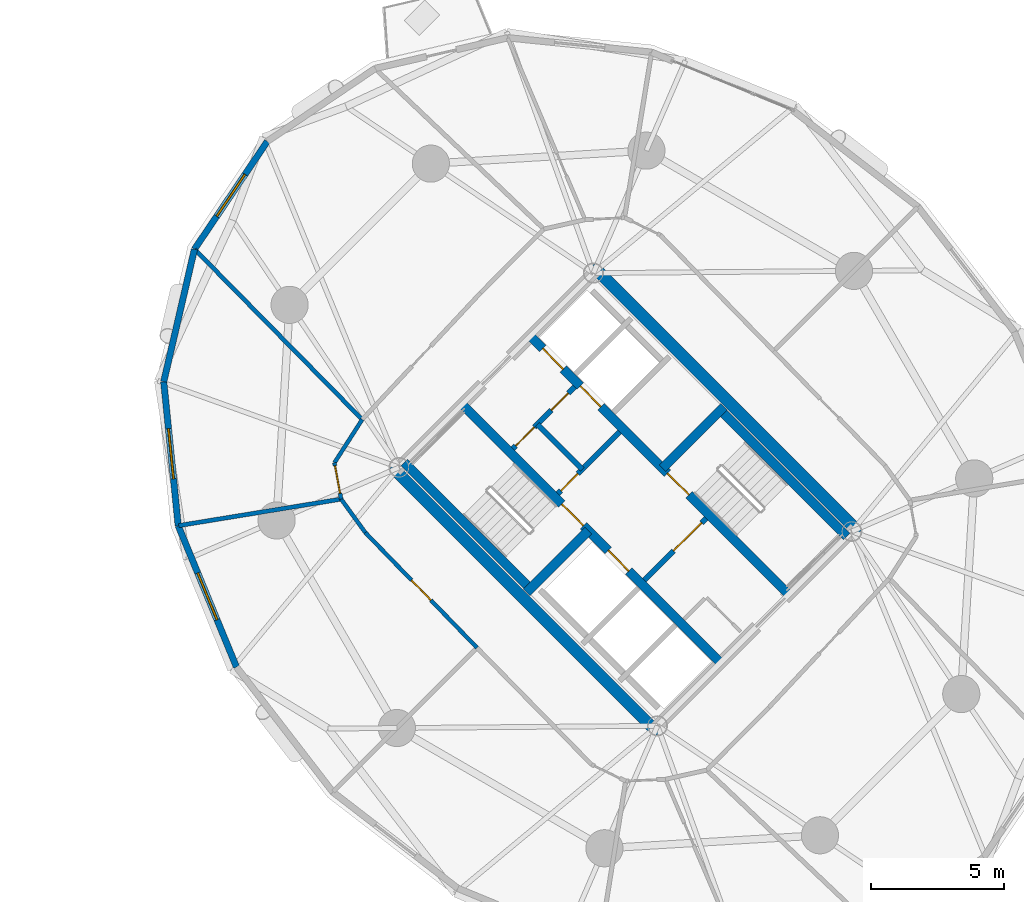
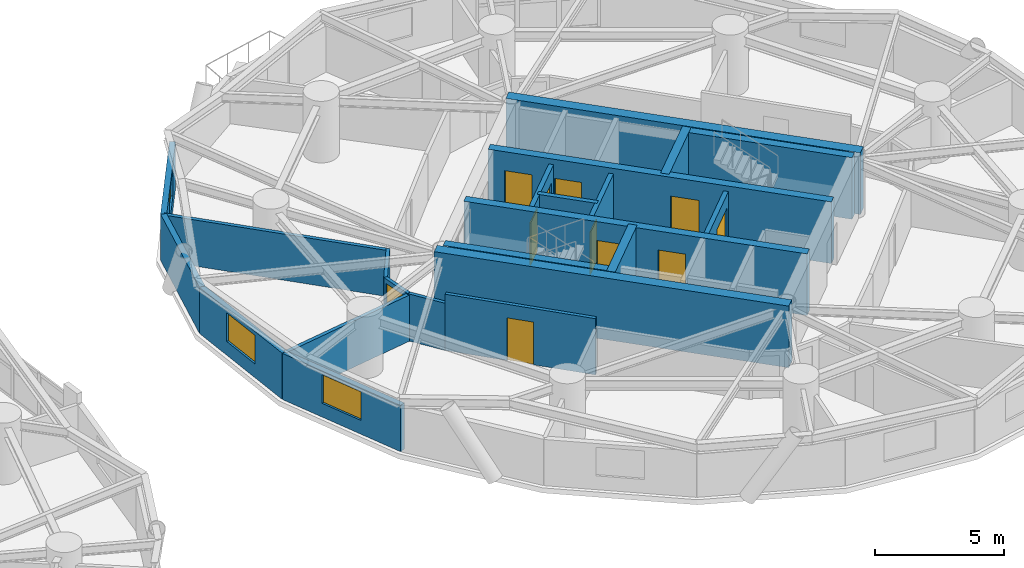
# One storey, part 12 of 17: 22 walls, 11 doors, 3 windows, 14 openings.
"""IFC4 building model written with IfcOpenShell, lengths in metres."""

from ifc_helpers import new_model, si_unit, direction, frame, frame_2d, origin, place, context, subcontext, project, spatial, rectangle, extrude, source, transform, mapped, material, layer, layer_set, type_object, element, fill, save


model = new_model("IFC4")

# Units and contexts
model_context = context("Model", 3, precision=1e-05, world=origin(), true_north=direction((0.0, 1.0)))
body_context = subcontext(model_context, "Body", "Model", "MODEL_VIEW")
ifc_project = project(units=[si_unit("LENGTHUNIT", "METRE"), si_unit("AREAUNIT", "SQUARE_METRE"), si_unit("VOLUMEUNIT", "CUBIC_METRE"), si_unit("PLANEANGLEUNIT", "RADIAN"), si_unit("MASSUNIT", "GRAM", prefix="KILO")], contexts=[model_context])

# Site, building, storey
site_placement = place(None, origin())
site = spatial("IfcSite", under=ifc_project, at=site_placement, CompositionType="ELEMENT")
building_placement = place(site_placement, origin())
building = spatial("IfcBuilding", under=site, at=building_placement, Name="Cununo Teusaquillo Station Towers", CompositionType="ELEMENT")
storey_placement = place(building_placement, frame((0.0, 0.0, 78.8798828125)))
storey = spatial("IfcBuildingStorey", under=building, at=storey_placement, Name="L24", CompositionType="ELEMENT", Elevation=78.8798828125)

# Wall, openings, doors
ifc_material_1 = material(Name="Concrete C50/60", Category="concrete")
ifc_layer_1 = layer(ifc_material_1, 0.35009765625)
ifc_layer_set_1 = layer_set([ifc_layer_1], Name="Concrete C50/60")
wall_type_1 = type_object("IfcWallType", Name="WL-CORE-350", PredefinedType="SHEAR", material=ifc_layer_set_1)
wall_1_placement = place(storey_placement, frame((61.077880859375, 18.355224609375, 0.0), z_axis=(0.0, 0.0, 1.0), x_axis=(-0.707106781187, 0.707106781187, 0.0)))
wall_1 = element("IfcWall", 1, at=wall_1_placement, inside=storey, type_object=wall_type_1, Name="L24 Tower B Core Shear Wall IW", PredefinedType="SHEAR", context=body_context, shape_type="SweptSolid", body=[
    extrude(rectangle(XDim=13.75, YDim=0.35009765625, at=frame_2d((6.875, 0.0))), origin(), (0.0, 0.0, 1.0), 2.91015625),
])
shared_shape_1 = source(origin(), body_context, "Body", "SweptSolid", [
    extrude(rectangle(XDim=1.10009765625, YDim=2.014892578125, at=frame_2d((0.550048828125, 1.00732421875))), frame((0.0, 0.18505859375, 0.0), z_axis=(0.0, -1.0, 0.0), x_axis=(1.0, 0.0, 0.0)), (0.0, 0.0, 1.0), 0.3701171875),
])
opening_1_placement = place(wall_1_placement, frame((4.875, 0.0, 0.0)))
opening_1 = element("IfcOpeningElement", 2, at=opening_1_placement, cuts=wall_1, Name="Opening LD-01", PredefinedType="OPENING", context=body_context, shape_type="MappedRepresentation", body=[
    mapped(shared_shape_1, transform((0.0, 0.0, 0.0), x_axis=(1.0, 0.0, 0.0), y_axis=(0.0, 1.0, 0.0), z_axis=(0.0, 0.0, 1.0), scale=1.0)),
])
shared_shape_2 = source(origin(), body_context, "Body", "SweptSolid", [
    extrude(rectangle(XDim=1.14990234375, YDim=2.02001953125, at=frame_2d((0.574951171875, 1.010009765625))), frame((0.0, 0.18505859375, 0.0), z_axis=(0.0, -1.0, 0.0), x_axis=(1.0, 0.0, 0.0)), (0.0, 0.0, 1.0), 0.3701171875),
])
opening_2_placement = place(wall_1_placement, frame((7.294921875, 0.0, 0.0)))
opening_2 = element("IfcOpeningElement", 3, at=opening_2_placement, cuts=wall_1, Name="Opening D-ST1", PredefinedType="OPENING", context=body_context, shape_type="MappedRepresentation", body=[
    mapped(shared_shape_2, transform((0.0, 0.0, 0.0), x_axis=(1.0, 0.0, 0.0), y_axis=(0.0, 1.0, 0.0), z_axis=(0.0, 0.0, 1.0), scale=1.0)),
])
ifc_material_2 = material(Name="Galvanised fire-rated hollow steel door assembly", Category="steel")
door_type_1 = type_object("IfcDoorType", Name="DR-LIFT-1100", OperationType="SLIDING_TO_LEFT", PredefinedType="DOOR", material=ifc_material_2)
shared_shape_3 = source(origin(), body_context, "Body", "SweptSolid", [
    extrude(rectangle(XDim=1.10009765625, YDim=2.014892578125, at=frame_2d((0.550048828125, 1.00732421875))), frame((0.0, 0.02490234375, 0.0), z_axis=(0.0, -1.0, 0.0), x_axis=(1.0, 0.0, 0.0)), (0.0, 0.0, 1.0), 0.050048828125),
])
door_1_placement = place(opening_1_placement, origin())
door_1 = element("IfcDoor", 4, at=door_1_placement, inside=storey, type_object=door_type_1, Name="L24 Lift FL-T2 Sliding Landing Door", OperationType="SLIDING_TO_RIGHT", OverallHeight=2.014892578125, OverallWidth=1.10009765625, PredefinedType="DOOR", context=body_context, shape_type="MappedRepresentation", body=[
    mapped(shared_shape_3, transform((0.0, 0.0, 0.0), x_axis=(1.0, 0.0, 0.0), y_axis=(0.0, 1.0, 0.0), z_axis=(0.0, 0.0, 1.0), scale=1.0)),
])
fill(opening_1, door_1)
ifc_material_3 = material(Name="Galvanised fire-rated hollow steel door assembly", Category="steel")
door_type_2 = type_object("IfcDoorType", Name="DR-STAIR-1150", OperationType="NOTDEFINED", PredefinedType="DOOR", material=ifc_material_3)
shared_shape_4 = source(origin(), body_context, "Body", "SweptSolid", [
    extrude(rectangle(XDim=1.14990234375, YDim=2.02001953125, at=frame_2d((0.574951171875, 1.010009765625))), frame((0.0, 0.02490234375, 0.0), z_axis=(0.0, -1.0, 0.0), x_axis=(1.0, 0.0, 0.0)), (0.0, 0.0, 1.0), 0.050048828125),
])
door_2_placement = place(opening_2_placement, origin())
door_2 = element("IfcDoor", 5, at=door_2_placement, inside=storey, type_object=door_type_2, Name="L24 Tower B Exit Stair 1 Fire Door", OperationType="SINGLE_SWING_LEFT", OverallHeight=2.02001953125, OverallWidth=1.14990234375, PredefinedType="DOOR", context=body_context, shape_type="MappedRepresentation", body=[
    mapped(shared_shape_4, transform((0.0, 0.0, 0.0), x_axis=(1.0, 0.0, 0.0), y_axis=(0.0, 1.0, 0.0), z_axis=(0.0, 0.0, 1.0), scale=1.0)),
])
fill(opening_2, door_2)

wall_2_placement = place(storey_placement, frame((63.644775390625, 20.922119140625, 0.0), z_axis=(0.0, 0.0, 1.0), x_axis=(-0.707106781187, 0.707106781187, 0.0)))
wall_2 = element("IfcWall", 6, at=wall_2_placement, inside=storey, type_object=wall_type_1, Name="L24 Tower B Core Shear Wall IE", PredefinedType="SHEAR", context=body_context, shape_type="SweptSolid", body=[
    extrude(rectangle(XDim=13.75, YDim=0.35009765625, at=frame_2d((6.875, 0.0))), origin(), (0.0, 0.0, 1.0), 2.91015625),
])
opening_3_placement = place(wall_2_placement, frame((10.0, 0.0, 0.0)))
opening_3 = element("IfcOpeningElement", 7, at=opening_3_placement, cuts=wall_2, Name="Opening LD-01", PredefinedType="OPENING", context=body_context, shape_type="MappedRepresentation", body=[
    mapped(shared_shape_1, transform((0.0, 0.0, 0.0), x_axis=(1.0, 0.0, 0.0), y_axis=(0.0, 1.0, 0.0), z_axis=(0.0, 0.0, 1.0), scale=1.0)),
])
opening_4_placement = place(wall_2_placement, frame((12.0, 0.0, 0.0)))
opening_4 = element("IfcOpeningElement", 8, at=opening_4_placement, cuts=wall_2, Name="Opening LD-01", PredefinedType="OPENING", context=body_context, shape_type="MappedRepresentation", body=[
    mapped(shared_shape_1, transform((0.0, 0.0, 0.0), x_axis=(1.0, 0.0, 0.0), y_axis=(0.0, 1.0, 0.0), z_axis=(0.0, 0.0, 1.0), scale=1.0)),
])
opening_5_placement = place(wall_2_placement, frame((5.304931640625, 0.0, 0.0)))
opening_5 = element("IfcOpeningElement", 9, at=opening_5_placement, cuts=wall_2, Name="Opening D-ST1", PredefinedType="OPENING", context=body_context, shape_type="MappedRepresentation", body=[
    mapped(shared_shape_2, transform((0.0, 0.0, 0.0), x_axis=(1.0, 0.0, 0.0), y_axis=(0.0, 1.0, 0.0), z_axis=(0.0, 0.0, 1.0), scale=1.0)),
])
door_3_placement = place(opening_3_placement, origin())
door_3 = element("IfcDoor", 10, at=door_3_placement, inside=storey, type_object=door_type_1, Name="L24 Lift PL-T2-L1 Sliding Landing Door", OperationType="SLIDING_TO_RIGHT", OverallHeight=2.014892578125, OverallWidth=1.10009765625, PredefinedType="DOOR", context=body_context, shape_type="MappedRepresentation", body=[
    mapped(shared_shape_3, transform((0.0, 0.0, 0.0), x_axis=(1.0, 0.0, 0.0), y_axis=(0.0, 1.0, 0.0), z_axis=(0.0, 0.0, 1.0), scale=1.0)),
])
fill(opening_3, door_3)
door_4_placement = place(opening_4_placement, origin())
door_4 = element("IfcDoor", 11, at=door_4_placement, inside=storey, type_object=door_type_1, Name="L24 Lift PL-T2-L2 Sliding Landing Door", OperationType="SLIDING_TO_LEFT", OverallHeight=2.014892578125, OverallWidth=1.10009765625, PredefinedType="DOOR", context=body_context, shape_type="MappedRepresentation", body=[
    mapped(shared_shape_3, transform((0.0, 0.0, 0.0), x_axis=(1.0, 0.0, 0.0), y_axis=(0.0, 1.0, 0.0), z_axis=(0.0, 0.0, 1.0), scale=1.0)),
])
fill(opening_4, door_4)
door_5_placement = place(opening_5_placement, origin())
door_5 = element("IfcDoor", 12, at=door_5_placement, inside=storey, type_object=door_type_2, Name="L24 Tower B Exit Stair 2 Fire Door", OperationType="SINGLE_SWING_RIGHT", OverallHeight=2.02001953125, OverallWidth=1.14990234375, PredefinedType="DOOR", context=body_context, shape_type="MappedRepresentation", body=[
    mapped(shared_shape_4, transform((0.0, 0.0, 0.0), x_axis=(1.0, 0.0, 0.0), y_axis=(0.0, 1.0, 0.0), z_axis=(0.0, 0.0, 1.0), scale=1.0)),
])
fill(opening_5, door_5)

# Walls
wall_3_placement = place(storey_placement, frame((53.922119140625, 21.14111328125, 0.0), z_axis=(0.0, 0.0, 1.0), x_axis=(-0.707088616009, 0.707124945897, 0.0)))
element("IfcWall", 13, at=wall_3_placement, inside=storey, type_object=wall_type_1, Name="L24 Tower B Core Shear Wall ST1W", PredefinedType="SHEAR", context=body_context, shape_type="SweptSolid", body=[
    extrude(rectangle(XDim=6.72021484375, YDim=0.35009765625, at=frame_2d((3.360107421875, 0.0))), origin(), (0.0, 0.0, 1.0), 2.91015625),
])
wall_4_placement = place(storey_placement, frame((53.7841796875, 21.00341796875, 0.0), z_axis=(0.0, 0.0, 1.0), x_axis=(0.707106781187, 0.707106781187, 0.0)))
element("IfcWall", 14, at=wall_4_placement, inside=storey, type_object=wall_type_1, Name="L24 Tower B Core Shear Wall ST1S", PredefinedType="SHEAR", context=body_context, shape_type="SweptSolid", body=[
    extrude(rectangle(XDim=3.284912109375, YDim=0.35009765625, at=frame_2d((1.642578125, 0.0))), origin(), (0.0, 0.0, 1.0), 2.91015625),
])
wall_5_placement = place(storey_placement, frame((65.82958984375, 23.10693359375, 0.0), z_axis=(0.0, 0.0, 1.0), x_axis=(-0.707088616009, 0.707124945897, 0.0)))
element("IfcWall", 15, at=wall_5_placement, inside=storey, type_object=wall_type_1, Name="L24 Tower B Core Shear Wall ST2E", PredefinedType="SHEAR", context=body_context, shape_type="SweptSolid", body=[
    extrude(rectangle(XDim=6.72021484375, YDim=0.35009765625, at=frame_2d((3.360107421875, 0.0))), origin(), (0.0, 0.0, 1.0), 2.91015625),
])
wall_6_placement = place(storey_placement, frame((58.89306640625, 25.673828125, 0.0), z_axis=(0.0, 0.0, 1.0), x_axis=(0.707106781187, 0.707106781187, 0.0)))
element("IfcWall", 16, at=wall_6_placement, inside=storey, type_object=wall_type_1, Name="L24 Tower B Core Shear Wall ST2N", PredefinedType="SHEAR", context=body_context, shape_type="SweptSolid", body=[
    extrude(rectangle(XDim=3.284912109375, YDim=0.35009765625, at=frame_2d((1.642578125, 0.0))), origin(), (0.0, 0.0, 1.0), 2.91015625),
])
ifc_material_4 = material(Name="Concrete C60/75", Category="concrete")
ifc_layer_2 = layer(ifc_material_4, 0.449951171875)
ifc_layer_set_2 = layer_set([ifc_layer_2], Name="Concrete C60/75")
wall_type_2 = type_object("IfcWallType", Name="WL-CORE-450", PredefinedType="SHEAR", material=ifc_layer_set_2)
for number, where, z_axis, x_axis, name in (
    (17, (58.7373046875, 15.696533203125, 0.0), (0.0, 0.0, 1.0), (-0.707106781187, 0.707106781187, 0.0), "L24 Tower B Core Shear Wall W"),
    (18, (66.303466796875, 23.2626953125, 0.0), (0.0, 0.0, 1.0), (-0.707106781187, 0.707106781187, 0.0), "L24 Tower B Core Shear Wall E"),
):
    element("IfcWall", number, at=place(storey_placement, frame(where, z_axis=z_axis, x_axis=x_axis)), inside=storey, type_object=wall_type_2, Name=name, PredefinedType="SHEAR", context=body_context, shape_type="SweptSolid", body=[
        extrude(rectangle(XDim=14.19970703125, YDim=0.449951171875, at=frame_2d((7.099853515625, 0.0))), origin(), (0.0, 0.0, 1.0), 2.91015625),
    ])

# Wall, opening, window
ifc_material_5 = material(Name="Precast concrete C40/50", Category="concrete")
ifc_layer_3 = layer(ifc_material_5, 0.239990234375)
ifc_layer_set_3 = layer_set([ifc_layer_3], Name="Precast concrete C40/50")
wall_type_3 = type_object("IfcWallType", Name="WL-EXT-240", PredefinedType="SOLIDWALL", material=ifc_layer_set_3)
wall_7_placement = place(storey_placement, frame((41.27099609375, 33.919921875, 0.0), z_axis=(0.0, 0.0, 1.0), x_axis=(0.559572880421, 0.828781148131, 0.0)))
wall_7 = element("IfcWall", 19, at=wall_7_placement, inside=storey, type_object=wall_type_3, Name="L24 Tower B Exterior Facade Wall C05", PredefinedType="SOLIDWALL", context=body_context, shape_type="SweptSolid", body=[
    extrude(rectangle(XDim=4.904541015625, YDim=0.239990234375, at=frame_2d((2.4521484375, 0.0))), origin(), (0.0, 0.0, 1.0), 2.17919921875),
])
shared_shape_5 = source(origin(), body_context, "Body", "SweptSolid", [
    extrude(rectangle(XDim=1.89990234375, YDim=1.35009765625, at=frame_2d((0.949951171875, 0.675048828125))), frame((0.0, 0.1298828125, 0.0), z_axis=(0.0, -1.0, 0.0), x_axis=(1.0, 0.0, 0.0)), (0.0, 0.0, 1.0), 0.260009765625),
])
opening_6_placement = place(wall_7_placement, frame((1.501953125, 0.0, 0.64990234375)))
opening_6 = element("IfcOpeningElement", 20, at=opening_6_placement, cuts=wall_7, Name="Opening WN-02", PredefinedType="OPENING", context=body_context, shape_type="MappedRepresentation", body=[
    mapped(shared_shape_5, transform((0.0, 0.0, 0.0), x_axis=(1.0, 0.0, 0.0), y_axis=(0.0, 1.0, 0.0), z_axis=(0.0, 0.0, 1.0), scale=1.0)),
])
ifc_material_6 = material(Name="Operable acoustic tinted low-E double glazing", Category="glass")
window_type = type_object("IfcWindowType", Name="WIN-OPER-1900", PartitioningType="DOUBLE_PANEL_VERTICAL", PredefinedType="WINDOW", material=ifc_material_6)
shared_shape_6 = source(origin(), body_context, "Body", "SweptSolid", [
    extrude(rectangle(XDim=1.89990234375, YDim=1.35009765625, at=frame_2d((0.949951171875, 0.675048828125))), frame((0.0, 0.030029296875, 0.0), z_axis=(0.0, -1.0, 0.0), x_axis=(1.0, 0.0, 0.0)), (0.0, 0.0, 1.0), 0.06005859375),
])
window_1_placement = place(opening_6_placement, origin())
window_1 = element("IfcWindow", 21, at=window_1_placement, inside=storey, type_object=window_type, Name="L24 Tower B Facade Window C05", OverallHeight=1.35009765625, OverallWidth=1.89990234375, PartitioningType="DOUBLE_PANEL_VERTICAL", PredefinedType="WINDOW", context=body_context, shape_type="MappedRepresentation", body=[
    mapped(shared_shape_6, transform((0.0, 0.0, 0.0), x_axis=(1.0, 0.0, 0.0), y_axis=(0.0, 1.0, 0.0), z_axis=(0.0, 0.0, 1.0), scale=1.0)),
])
fill(opening_6, window_1)

# Wall
wall_8_placement = place(storey_placement, frame((40.114990234375, 28.933349609375, 0.0), z_axis=(0.0, 0.0, 1.0), x_axis=(0.225834725257, 0.974165631126, 0.0)))
element("IfcWall", 22, at=wall_8_placement, inside=storey, type_object=wall_type_3, Name="L24 Tower B Exterior Facade Wall C06", PredefinedType="SOLIDWALL", context=body_context, shape_type="SweptSolid", body=[
    extrude(rectangle(XDim=5.118896484375, YDim=0.239990234375, at=frame_2d((2.5595703125, 0.0))), origin(), (0.0, 0.0, 1.0), 2.17919921875),
])

# Wall, opening, window
wall_9_placement = place(storey_placement, frame((40.66064453125, 23.5126953125, 0.0), z_axis=(0.0, 0.0, 1.0), x_axis=(-0.10015591906, 0.994971754311, 0.0)))
wall_9 = element("IfcWall", 23, at=wall_9_placement, inside=storey, type_object=wall_type_3, Name="L24 Tower B Exterior Facade Wall C07", PredefinedType="SOLIDWALL", context=body_context, shape_type="SweptSolid", body=[
    extrude(rectangle(XDim=5.447998046875, YDim=0.239990234375, at=frame_2d((2.72412109375, 0.0))), origin(), (0.0, 0.0, 1.0), 2.17919921875),
])
opening_7_placement = place(wall_9_placement, frame((1.77392578125, 0.0, 0.64990234375)))
opening_7 = element("IfcOpeningElement", 24, at=opening_7_placement, cuts=wall_9, Name="Opening WN-02", PredefinedType="OPENING", context=body_context, shape_type="MappedRepresentation", body=[
    mapped(shared_shape_5, transform((0.0, 0.0, 0.0), x_axis=(1.0, 0.0, 0.0), y_axis=(0.0, 1.0, 0.0), z_axis=(0.0, 0.0, 1.0), scale=1.0)),
])
window_2_placement = place(opening_7_placement, origin())
window_2 = element("IfcWindow", 25, at=window_2_placement, inside=storey, type_object=window_type, Name="L24 Tower B Facade Window C07", OverallHeight=1.35009765625, OverallWidth=1.89990234375, PartitioningType="DOUBLE_PANEL_VERTICAL", PredefinedType="WINDOW", context=body_context, shape_type="MappedRepresentation", body=[
    mapped(shared_shape_6, transform((0.0, 0.0, 0.0), x_axis=(1.0, 0.0, 0.0), y_axis=(0.0, 1.0, 0.0), z_axis=(0.0, 0.0, 1.0), scale=1.0)),
])
fill(opening_7, window_2)

wall_10_placement = place(storey_placement, frame((42.854736328125, 18.188720703125, 0.0), z_axis=(0.0, 0.0, 1.0), x_axis=(-0.381027003055, 0.924563909604, 0.0)))
wall_10 = element("IfcWall", 26, at=wall_10_placement, inside=storey, type_object=wall_type_3, Name="L24 Tower B Exterior Facade Wall C08", PredefinedType="SOLIDWALL", context=body_context, shape_type="SweptSolid", body=[
    extrude(rectangle(XDim=5.75830078125, YDim=0.239990234375, at=frame_2d((2.879150390625, 0.0))), origin(), (0.0, 0.0, 1.0), 2.17919921875),
])
opening_8_placement = place(wall_10_placement, frame((1.928955078125, 0.0, 0.64990234375)))
opening_8 = element("IfcOpeningElement", 27, at=opening_8_placement, cuts=wall_10, Name="Opening WN-02", PredefinedType="OPENING", context=body_context, shape_type="MappedRepresentation", body=[
    mapped(shared_shape_5, transform((0.0, 0.0, 0.0), x_axis=(1.0, 0.0, 0.0), y_axis=(0.0, 1.0, 0.0), z_axis=(0.0, 0.0, 1.0), scale=1.0)),
])
window_3_placement = place(opening_8_placement, origin())
window_3 = element("IfcWindow", 28, at=window_3_placement, inside=storey, type_object=window_type, Name="L24 Tower B Facade Window C08", OverallHeight=1.35009765625, OverallWidth=1.89990234375, PartitioningType="DOUBLE_PANEL_VERTICAL", PredefinedType="WINDOW", context=body_context, shape_type="MappedRepresentation", body=[
    mapped(shared_shape_6, transform((0.0, 0.0, 0.0), x_axis=(1.0, 0.0, 0.0), y_axis=(0.0, 1.0, 0.0), z_axis=(0.0, 0.0, 1.0), scale=1.0)),
])
fill(opening_8, window_3)

# Wall
ifc_material_7 = material(Name="Fire-rated gypsum plasterboard partition assembly", Category="gypsum")
ifc_layer_4 = layer(ifc_material_7, 0.14990234375)
ifc_layer_set_4 = layer_set([ifc_layer_4], Name="Fire-rated gypsum plasterboard partition assembly")
wall_type_4 = type_object("IfcWallType", Name="WL-PART-150", PredefinedType="PARTITIONING", material=ifc_layer_set_4)
wall_11_placement = place(storey_placement, frame((47.58837890625, 27.51025390625, 0.0), z_axis=(0.0, 0.0, 1.0), x_axis=(-0.540202619347, -0.841534984449, 0.0)))
element("IfcWall", 29, at=wall_11_placement, inside=storey, type_object=wall_type_4, Name="L24 Tower B Corridor Ring Wall C06", PredefinedType="PARTITIONING", context=body_context, shape_type="SweptSolid", body=[
    extrude(rectangle(XDim=1.934814453125, YDim=0.14990234375, at=frame_2d((0.96728515625, 0.0))), origin(), (0.0, 0.0, 1.0), 2.22509765625),
])

# Wall, opening, door
wall_12_placement = place(storey_placement, frame((46.543212890625, 25.882080078125, 0.0), z_axis=(0.0, 0.0, 1.0), x_axis=(0.181153502579, -0.983454832976, 0.0)))
wall_12 = element("IfcWall", 30, at=wall_12_placement, inside=storey, type_object=wall_type_4, Name="L24 Tower B Corridor Ring Wall C07", PredefinedType="PARTITIONING", context=body_context, shape_type="SweptSolid", body=[
    extrude(rectangle(XDim=1.39208984375, YDim=0.14990234375, at=frame_2d((0.696044921875, 0.0))), origin(), (0.0, 0.0, 1.0), 2.22509765625),
])
shared_shape_7 = source(origin(), body_context, "Body", "SweptSolid", [
    extrude(rectangle(XDim=1.050048828125, YDim=2.014892578125, at=frame_2d((0.52490234375, 1.00732421875))), frame((0.0, 0.0849609375, 0.0), z_axis=(0.0, -1.0, 0.0), x_axis=(1.0, 0.0, 0.0)), (0.0, 0.0, 1.0), 0.169921875),
])
opening_9_placement = place(wall_12_placement, frame((0.1201171875, 0.0, 0.0)))
opening_9 = element("IfcOpeningElement", 31, at=opening_9_placement, cuts=wall_12, Name="Opening D-SU1", PredefinedType="OPENING", context=body_context, shape_type="MappedRepresentation", body=[
    mapped(shared_shape_7, transform((0.0, 0.0, 0.0), x_axis=(1.0, 0.0, 0.0), y_axis=(0.0, 1.0, 0.0), z_axis=(0.0, 0.0, 1.0), scale=1.0)),
])
ifc_material_8 = material(Name="Acoustic solid-core hardwood leaf assembly", Category="wood")
door_type_3 = type_object("IfcDoorType", Name="DR-SUITE-1050", OperationType="NOTDEFINED", PredefinedType="DOOR", material=ifc_material_8)
shared_shape_8 = source(origin(), body_context, "Body", "SweptSolid", [
    extrude(rectangle(XDim=1.050048828125, YDim=2.014892578125, at=frame_2d((0.52490234375, 1.00732421875))), frame((0.0, 0.02490234375, 0.0), z_axis=(0.0, -1.0, 0.0), x_axis=(1.0, 0.0, 0.0)), (0.0, 0.0, 1.0), 0.050048828125),
])
door_6_placement = place(opening_9_placement, origin())
door_6 = element("IfcDoor", 32, at=door_6_placement, inside=storey, type_object=door_type_3, Name="L24 Tower B Legal Research Library Entrance Door", OperationType="SINGLE_SWING_RIGHT", OverallHeight=2.014892578125, OverallWidth=1.050048828125, PredefinedType="DOOR", context=body_context, shape_type="MappedRepresentation", body=[
    mapped(shared_shape_8, transform((0.0, 0.0, 0.0), x_axis=(1.0, 0.0, 0.0), y_axis=(0.0, 1.0, 0.0), z_axis=(0.0, 0.0, 1.0), scale=1.0)),
])
fill(opening_9, door_6)

# Wall
wall_13_placement = place(storey_placement, frame((46.79541015625, 24.512939453125, 0.0), z_axis=(0.0, 0.0, 1.0), x_axis=(0.585628197524, -0.810579801294, 0.0)))
element("IfcWall", 33, at=wall_13_placement, inside=storey, type_object=wall_type_4, Name="L24 Tower B Corridor Ring Wall C08", PredefinedType="PARTITIONING", context=body_context, shape_type="SweptSolid", body=[
    extrude(rectangle(XDim=1.55419921875, YDim=0.14990234375, at=frame_2d((0.777099609375, 0.0))), origin(), (0.0, 0.0, 1.0), 2.22509765625),
])

# Wall, opening, door
wall_14_placement = place(storey_placement, frame((47.70556640625, 23.253173828125, 0.0), z_axis=(0.0, 0.0, 1.0), x_axis=(0.696179266346, -0.717867974707, 0.0)))
wall_14 = element("IfcWall", 34, at=wall_14_placement, inside=storey, type_object=wall_type_4, Name="L24 Tower B Corridor Ring Wall C09", PredefinedType="PARTITIONING", context=body_context, shape_type="SweptSolid", body=[
    extrude(rectangle(XDim=6.044677734375, YDim=0.14990234375, at=frame_2d((3.0224609375, 0.0))), origin(), (0.0, 0.0, 1.0), 2.655029296875),
])
opening_10_placement = place(wall_14_placement, frame((2.497314453125, 0.0, 0.0)))
opening_10 = element("IfcOpeningElement", 35, at=opening_10_placement, cuts=wall_14, Name="Opening D-SU1", PredefinedType="OPENING", context=body_context, shape_type="MappedRepresentation", body=[
    mapped(shared_shape_7, transform((0.0, 0.0, 0.0), x_axis=(1.0, 0.0, 0.0), y_axis=(0.0, 1.0, 0.0), z_axis=(0.0, 0.0, 1.0), scale=1.0)),
])
door_7_placement = place(opening_10_placement, origin())
door_7 = element("IfcDoor", 36, at=door_7_placement, inside=storey, type_object=door_type_3, Name="L24 Tower B Paralegal Casework Office Entrance Door", OperationType="SINGLE_SWING_LEFT", OverallHeight=2.014892578125, OverallWidth=1.050048828125, PredefinedType="DOOR", context=body_context, shape_type="MappedRepresentation", body=[
    mapped(shared_shape_8, transform((0.0, 0.0, 0.0), x_axis=(1.0, 0.0, 0.0), y_axis=(0.0, 1.0, 0.0), z_axis=(0.0, 0.0, 1.0), scale=1.0)),
])
fill(opening_10, door_7)

# Walls
ifc_material_9 = material(Name="Fire-rated gypsum plasterboard partition assembly", Category="gypsum")
ifc_layer_5 = layer(ifc_material_9, 0.159912109375)
ifc_layer_set_5 = layer_set([ifc_layer_5], Name="Fire-rated gypsum plasterboard partition assembly")
wall_type_5 = type_object("IfcWallType", Name="WL-PART-160", PredefinedType="PARTITIONING", material=ifc_layer_set_5)
wall_15_placement = place(storey_placement, frame((47.58837890625, 27.51025390625, 0.0), z_axis=(0.0, 0.0, 1.0), x_axis=(-0.701457073903, 0.712711704318, 0.0)))
element("IfcWall", 37, at=wall_15_placement, inside=storey, type_object=wall_type_5, Name="L24 Tower B Radial Suite Partition R04", PredefinedType="PARTITIONING", context=body_context, shape_type="SweptSolid", body=[
    extrude(rectangle(XDim=8.980712890625, YDim=0.159912109375, at=frame_2d((4.490234375, 0.0))), origin(), (0.0, 0.0, 1.0), 2.17919921875),
])
wall_16_placement = place(storey_placement, frame((46.79541015625, 24.512939453125, 0.0), z_axis=(0.0, 0.0, 1.0), x_axis=(-0.986966109862, -0.160928238618, 0.0)))
element("IfcWall", 38, at=wall_16_placement, inside=storey, type_object=wall_type_5, Name="L24 Tower B Radial Suite Partition R05", PredefinedType="PARTITIONING", context=body_context, shape_type="SweptSolid", body=[
    extrude(rectangle(XDim=6.19580078125, YDim=0.159912109375, at=frame_2d((3.097900390625, 0.0))), origin(), (0.0, 0.0, 1.0), 2.17919921875),
])

# Wall, opening, door
ifc_material_10 = material(Name="Fire-rated gypsum plasterboard partition assembly", Category="gypsum")
ifc_layer_6 = layer(ifc_material_10, 0.199951171875)
ifc_layer_set_6 = layer_set([ifc_layer_6], Name="Fire-rated gypsum plasterboard partition assembly")
wall_type_6 = type_object("IfcWallType", Name="WL-PART-200", PredefinedType="PARTITIONING", material=ifc_layer_set_6)
wall_17_placement = place(storey_placement, frame((58.214111328125, 21.466552734375, 0.0), z_axis=(0.0, 0.0, 1.0), x_axis=(0.707106781187, 0.707106781187, 0.0)))
wall_17 = element("IfcWall", 39, at=wall_17_placement, inside=storey, type_object=wall_type_6, Name="L24 Tower B Firefighting Lift Lobby South Fire Wall", PredefinedType="PARTITIONING", context=body_context, shape_type="SweptSolid", body=[
    extrude(rectangle(XDim=3.280029296875, YDim=0.199951171875, at=frame_2d((1.64013671875, 0.0))), origin(), (0.0, 0.0, 1.0), 2.655029296875),
])
shared_shape_9 = source(origin(), body_context, "Body", "SweptSolid", [
    extrude(rectangle(XDim=1.5, YDim=2.02001953125, at=frame_2d((0.75, 1.010009765625))), frame((0.0, 0.10986328125, 0.0), z_axis=(0.0, -1.0, 0.0), x_axis=(1.0, 0.0, 0.0)), (0.0, 0.0, 1.0), 0.219970703125),
])
opening_11_placement = place(wall_17_placement, frame((1.550048828125, 0.0, 0.0)))
opening_11 = element("IfcOpeningElement", 40, at=opening_11_placement, cuts=wall_17, Name="Opening D-LB1", PredefinedType="OPENING", context=body_context, shape_type="MappedRepresentation", body=[
    mapped(shared_shape_9, transform((0.0, 0.0, 0.0), x_axis=(1.0, 0.0, 0.0), y_axis=(0.0, 1.0, 0.0), z_axis=(0.0, 0.0, 1.0), scale=1.0)),
])
ifc_material_11 = material(Name="Galvanised fire-rated hollow steel door assembly", Category="steel")
door_type_4 = type_object("IfcDoorType", Name="DR-LOBBY-1500", OperationType="DOUBLE_DOOR_SINGLE_SWING", PredefinedType="DOOR", material=ifc_material_11)
shared_shape_10 = source(origin(), body_context, "Body", "SweptSolid", [
    extrude(rectangle(XDim=1.5, YDim=2.02001953125, at=frame_2d((0.75, 1.010009765625))), frame((0.0, 0.02490234375, 0.0), z_axis=(0.0, -1.0, 0.0), x_axis=(1.0, 0.0, 0.0)), (0.0, 0.0, 1.0), 0.050048828125),
])
door_8_placement = place(opening_11_placement, origin())
door_8 = element("IfcDoor", 41, at=door_8_placement, inside=storey, type_object=door_type_4, Name="L24 Tower B Firefighting Lift Lobby South Fire Door", OperationType="DOUBLE_DOOR_SINGLE_SWING", OverallHeight=2.02001953125, OverallWidth=1.5, PredefinedType="DOOR", context=body_context, shape_type="MappedRepresentation", body=[
    mapped(shared_shape_10, transform((0.0, 0.0, 0.0), x_axis=(1.0, 0.0, 0.0), y_axis=(0.0, 1.0, 0.0), z_axis=(0.0, 0.0, 1.0), scale=1.0)),
])
fill(opening_11, door_8)

wall_18_placement = place(storey_placement, frame((54.96142578125, 24.71923828125, 0.0), z_axis=(0.0, 0.0, 1.0), x_axis=(0.707106781187, 0.707106781187, 0.0)))
wall_18 = element("IfcWall", 42, at=wall_18_placement, inside=storey, type_object=wall_type_6, Name="L24 Tower B Firefighting Lift Lobby North Fire Wall", PredefinedType="PARTITIONING", context=body_context, shape_type="SweptSolid", body=[
    extrude(rectangle(XDim=3.280029296875, YDim=0.199951171875, at=frame_2d((1.64013671875, 0.0))), origin(), (0.0, 0.0, 1.0), 2.655029296875),
])
shared_shape_11 = source(origin(), body_context, "Body", "SweptSolid", [
    extrude(rectangle(XDim=0.89990234375, YDim=2.0048828125, at=frame_2d((0.449951171875, 1.00244140625))), frame((0.0, 0.10986328125, 0.0), z_axis=(0.0, -1.0, 0.0), x_axis=(1.0, 0.0, 0.0)), (0.0, 0.0, 1.0), 0.219970703125),
])
opening_12_placement = place(wall_18_placement, frame((0.159912109375, 0.0, 0.0)))
opening_12 = element("IfcOpeningElement", 43, at=opening_12_placement, cuts=wall_18, Name="Opening D-SR1", PredefinedType="OPENING", context=body_context, shape_type="MappedRepresentation", body=[
    mapped(shared_shape_11, transform((0.0, 0.0, 0.0), x_axis=(1.0, 0.0, 0.0), y_axis=(0.0, 1.0, 0.0), z_axis=(0.0, 0.0, 1.0), scale=1.0)),
])
ifc_material_12 = material(Name="Galvanised fire-rated hollow steel door assembly", Category="steel")
door_type_5 = type_object("IfcDoorType", Name="DR-STORE-900", OperationType="NOTDEFINED", PredefinedType="DOOR", material=ifc_material_12)
shared_shape_12 = source(origin(), body_context, "Body", "SweptSolid", [
    extrude(rectangle(XDim=0.89990234375, YDim=2.0048828125, at=frame_2d((0.449951171875, 1.00244140625))), frame((0.0, 0.02490234375, 0.0), z_axis=(0.0, -1.0, 0.0), x_axis=(1.0, 0.0, 0.0)), (0.0, 0.0, 1.0), 0.050048828125),
])
door_9_placement = place(opening_12_placement, origin())
door_9 = element("IfcDoor", 44, at=door_9_placement, inside=storey, type_object=door_type_5, Name="L24 Tower B Stair 1 Protected Vestibule South Door", OperationType="SINGLE_SWING_LEFT", OverallHeight=2.0048828125, OverallWidth=0.89990234375, PredefinedType="DOOR", context=body_context, shape_type="MappedRepresentation", body=[
    mapped(shared_shape_12, transform((0.0, 0.0, 0.0), x_axis=(1.0, 0.0, 0.0), y_axis=(0.0, 1.0, 0.0), z_axis=(0.0, 0.0, 1.0), scale=1.0)),
])
fill(opening_12, door_9)

# Wall
wall_19_placement = place(storey_placement, frame((55.873779296875, 25.63134765625, 0.0), z_axis=(0.0, 0.0, 1.0), x_axis=(-0.707157639372, 0.707055919343, 0.0)))
element("IfcWall", 45, at=wall_19_placement, inside=storey, type_object=wall_type_6, Name="L24 Tower B Stair 1 Vestibule Partition Wall", PredefinedType="PARTITIONING", context=body_context, shape_type="SweptSolid", body=[
    extrude(rectangle(XDim=2.400146484375, YDim=0.199951171875, at=frame_2d((1.2001953125, 0.0))), origin(), (0.0, 0.0, 1.0), 2.655029296875),
])

# Wall, openings, doors
wall_20_placement = place(storey_placement, frame((53.264404296875, 26.416259765625, 0.0), z_axis=(0.0, 0.0, 1.0), x_axis=(0.707106781187, 0.707106781187, 0.0)))
wall_20 = element("IfcWall", 46, at=wall_20_placement, inside=storey, type_object=wall_type_6, Name="L24 Tower B North Lift Lobby South Fire Wall", PredefinedType="PARTITIONING", context=body_context, shape_type="SweptSolid", body=[
    extrude(rectangle(XDim=3.280029296875, YDim=0.199951171875, at=frame_2d((1.64013671875, 0.0))), origin(), (0.0, 0.0, 1.0), 2.655029296875),
])
shared_shape_13 = source(origin(), body_context, "Body", "SweptSolid", [
    extrude(rectangle(XDim=1.0, YDim=2.014892578125, at=frame_2d((0.5, 1.00732421875))), frame((0.0, 0.10986328125, 0.0), z_axis=(0.0, -1.0, 0.0), x_axis=(1.0, 0.0, 0.0)), (0.0, 0.0, 1.0), 0.219970703125),
])
opening_13_placement = place(wall_20_placement, frame((0.139892578125, 0.0, 0.0)))
opening_13 = element("IfcOpeningElement", 47, at=opening_13_placement, cuts=wall_20, Name="Opening D-AC1", PredefinedType="OPENING", context=body_context, shape_type="MappedRepresentation", body=[
    mapped(shared_shape_13, transform((0.0, 0.0, 0.0), x_axis=(1.0, 0.0, 0.0), y_axis=(0.0, 1.0, 0.0), z_axis=(0.0, 0.0, 1.0), scale=1.0)),
])
opening_14_placement = place(wall_20_placement, frame((2.050048828125, 0.0, 0.0)))
opening_14 = element("IfcOpeningElement", 48, at=opening_14_placement, cuts=wall_20, Name="Opening D-SR1", PredefinedType="OPENING", context=body_context, shape_type="MappedRepresentation", body=[
    mapped(shared_shape_11, transform((0.0, 0.0, 0.0), x_axis=(1.0, 0.0, 0.0), y_axis=(0.0, 1.0, 0.0), z_axis=(0.0, 0.0, 1.0), scale=1.0)),
])
door_10_placement = place(opening_14_placement, origin())
door_10 = element("IfcDoor", 49, at=door_10_placement, inside=storey, type_object=door_type_5, Name="L24 Tower B Core Housekeeping & Linen Store Door", OperationType="SINGLE_SWING_RIGHT", OverallHeight=2.0048828125, OverallWidth=0.89990234375, PredefinedType="DOOR", context=body_context, shape_type="MappedRepresentation", body=[
    mapped(shared_shape_12, transform((0.0, 0.0, 0.0), x_axis=(1.0, 0.0, 0.0), y_axis=(0.0, 1.0, 0.0), z_axis=(0.0, 0.0, 1.0), scale=1.0)),
])
fill(opening_14, door_10)
ifc_material_13 = material(Name="Acoustic solid-core hardwood leaf assembly", Category="wood")
door_type_6 = type_object("IfcDoorType", Name="DR-ACC-1000", OperationType="NOTDEFINED", PredefinedType="DOOR", material=ifc_material_13)
shared_shape_14 = source(origin(), body_context, "Body", "SweptSolid", [
    extrude(rectangle(XDim=1.0, YDim=2.014892578125, at=frame_2d((0.5, 1.00732421875))), frame((0.0, 0.02490234375, 0.0), z_axis=(0.0, -1.0, 0.0), x_axis=(1.0, 0.0, 0.0)), (0.0, 0.0, 1.0), 0.050048828125),
])
door_11_placement = place(opening_13_placement, origin())
door_11 = element("IfcDoor", 50, at=door_11_placement, inside=storey, type_object=door_type_6, Name="L24 Tower B North Lift Lobby to Stair 1 Vestibule Door", OperationType="SINGLE_SWING_RIGHT", OverallHeight=2.014892578125, OverallWidth=1.0, PredefinedType="DOOR", context=body_context, shape_type="MappedRepresentation", body=[
    mapped(shared_shape_14, transform((0.0, 0.0, 0.0), x_axis=(1.0, 0.0, 0.0), y_axis=(0.0, 1.0, 0.0), z_axis=(0.0, 0.0, 1.0), scale=1.0)),
])
fill(opening_13, door_11)

save(model, "model.ifc")
